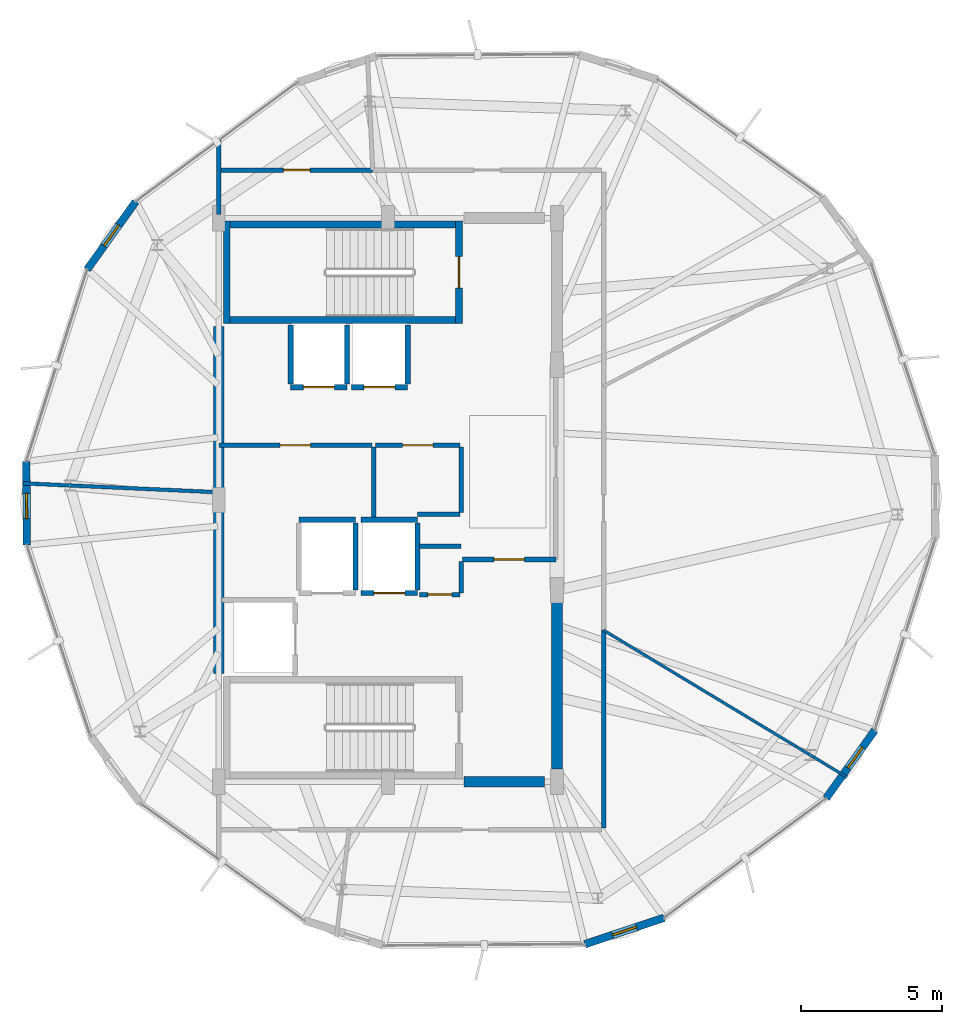
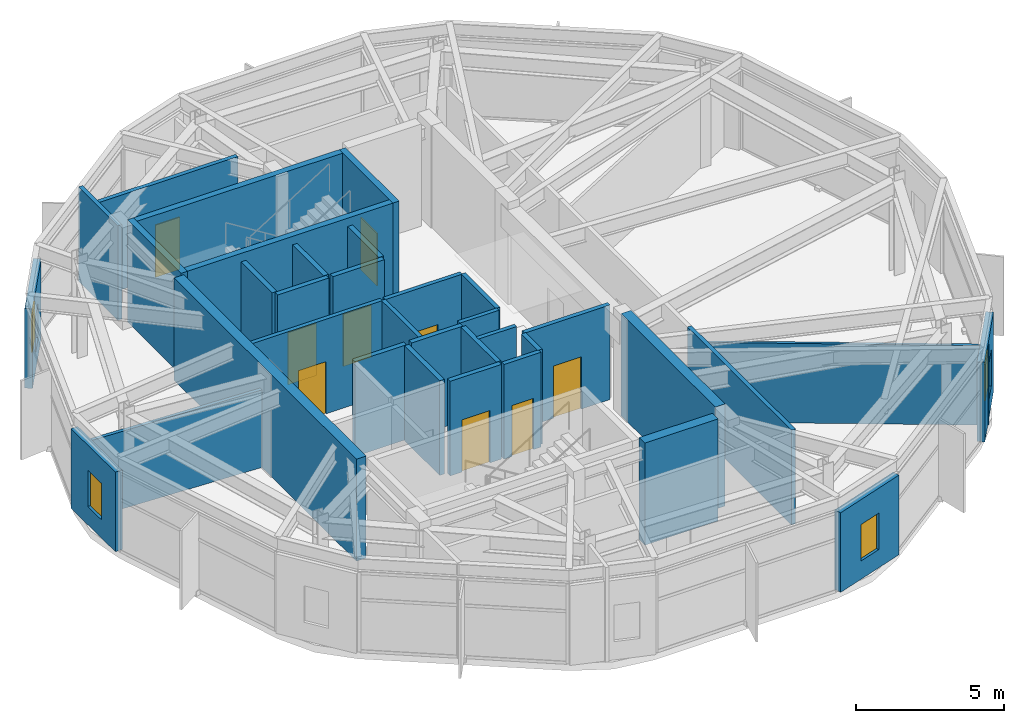
# One storey, part 18 of 22: 35 walls, 9 doors, 4 windows, 13 openings.
"""IFC4 building model written with IfcOpenShell, lengths in metres."""

from ifc_helpers import new_model, si_unit, direction, frame, frame_2d, origin, place, context, subcontext, project, spatial, rectangle, extrude, material, layer, layer_set, type_object, element, fill, save


model = new_model("IFC4")

# Units and contexts
model_context = context("Model", 3, precision=1e-05, world=origin(), true_north=direction((0.0, 1.0)))
body_context = subcontext(model_context, "Body", "Model", "MODEL_VIEW")
ifc_project = project(units=[si_unit("LENGTHUNIT", "METRE"), si_unit("AREAUNIT", "SQUARE_METRE"), si_unit("VOLUMEUNIT", "CUBIC_METRE"), si_unit("PLANEANGLEUNIT", "RADIAN"), si_unit("MASSUNIT", "GRAM", prefix="KILO")], contexts=[model_context])

# Site, building, storey
site_placement = place(None, origin())
site = spatial("IfcSite", under=ifc_project, at=site_placement, CompositionType="ELEMENT")
building_placement = place(site_placement, origin())
building = spatial("IfcBuilding", under=site, at=building_placement, Name="Soratama Intermodal Tower", CompositionType="ELEMENT")
storey_placement = place(building_placement, frame((0.0, 0.0, 301.449951171875)))
storey = spatial("IfcBuildingStorey", under=building, at=storey_placement, Name="L76", CompositionType="ELEMENT", Elevation=301.449951171875)

# Wall, opening, window
ifc_material_1 = material(Name="Concrete f'c 42 MPa", Category="concrete")
ifc_layer_1 = layer(ifc_material_1, 0.27001953125)
ifc_layer_set_1 = layer_set([ifc_layer_1], Name="Concrete f'c 42 MPa")
wall_type_1 = type_object("IfcWallType", Name="EW-CRN-270", PredefinedType="SOLIDWALL", material=ifc_layer_set_1)
wall_1_placement = place(storey_placement, frame((29.654296875, 35.58447265625, 0.0), z_axis=(0.0, 0.0, 1.0), x_axis=(-0.581915266528, -0.813249422122, 0.0)))
wall_1 = element("IfcWall", 1, at=wall_1_placement, inside=storey, type_object=wall_type_1, Name="L76 Corner Closure Wall 02", PredefinedType="SOLIDWALL", context=body_context, shape_type="SweptSolid", body=[
    extrude(rectangle(XDim=2.966552734375, YDim=0.27001953125, at=frame_2d((1.4833984375, 0.0))), origin(), (0.0, 0.0, 1.0), 3.274169921875),
])
opening_1_placement = place(wall_1_placement, frame((1.033203125, 0.0, 0.75)))
opening_1 = element("IfcOpeningElement", 2, at=opening_1_placement, cuts=wall_1, Name="Opening WN-6", PredefinedType="OPENING", context=body_context, shape_type="SweptSolid", body=[
    extrude(rectangle(XDim=0.89990234375, YDim=1.5, at=frame_2d((0.449951171875, 0.75))), frame((0.0, 0.14501953125, 0.0), z_axis=(0.0, -1.0, 0.0), x_axis=(1.0, 0.0, 0.0)), (0.0, 0.0, 1.0), 0.2900390625),
])
ifc_material_2 = material(Name="Double-glazed aluminium window", Category="aluminium")
window_type = type_object("IfcWindowType", Name="WN-FAC-900", PartitioningType="SINGLE_PANEL", PredefinedType="WINDOW", material=ifc_material_2)
window_1_placement = place(opening_1_placement, origin())
window_1 = element("IfcWindow", 3, at=window_1_placement, inside=storey, type_object=window_type, Name="L76 Corner Window 02", OverallHeight=1.5, OverallWidth=0.89990234375, PartitioningType="SINGLE_PANEL", PredefinedType="WINDOW", context=body_context, shape_type="SweptSolid", body=[
    extrude(rectangle(XDim=0.89990234375, YDim=1.5, at=frame_2d((0.449951171875, 0.75))), frame((0.0, 0.030029296875, 0.0), z_axis=(0.0, -1.0, 0.0), x_axis=(1.0, 0.0, 0.0)), (0.0, 0.0, 1.0), 0.06005859375),
])
fill(opening_1, window_1)

wall_2_placement = place(storey_placement, frame((25.771484375, 26.364990234375, 0.0), z_axis=(0.0, 0.0, 1.0), x_axis=(0.007324906367, -0.999973172514, 0.0)))
wall_2 = element("IfcWall", 4, at=wall_2_placement, inside=storey, type_object=wall_type_1, Name="L76 Corner Closure Wall 03", PredefinedType="SOLIDWALL", context=body_context, shape_type="SweptSolid", body=[
    extrude(rectangle(XDim=2.96630859375, YDim=0.27001953125, at=frame_2d((1.483154296875, 0.0))), origin(), (0.0, 0.0, 1.0), 3.274169921875),
])
opening_2_placement = place(wall_2_placement, frame((1.130615234375, 0.0, 0.75)))
opening_2 = element("IfcOpeningElement", 5, at=opening_2_placement, cuts=wall_2, Name="Opening WN-6", PredefinedType="OPENING", context=body_context, shape_type="SweptSolid", body=[
    extrude(rectangle(XDim=0.89990234375, YDim=1.5, at=frame_2d((0.449951171875, 0.75))), frame((0.0, 0.14501953125, 0.0), z_axis=(0.0, -1.0, 0.0), x_axis=(1.0, 0.0, 0.0)), (0.0, 0.0, 1.0), 0.2900390625),
])
window_2_placement = place(opening_2_placement, origin())
window_2 = element("IfcWindow", 6, at=window_2_placement, inside=storey, type_object=window_type, Name="L76 Corner Window 03", OverallHeight=1.5, OverallWidth=0.89990234375, PartitioningType="SINGLE_PANEL", PredefinedType="WINDOW", context=body_context, shape_type="SweptSolid", body=[
    extrude(rectangle(XDim=0.89990234375, YDim=1.5, at=frame_2d((0.449951171875, 0.75))), frame((0.0, 0.030029296875, 0.0), z_axis=(0.0, -1.0, 0.0), x_axis=(1.0, 0.0, 0.0)), (0.0, 0.0, 1.0), 0.06005859375),
])
fill(opening_2, window_2)

wall_3_placement = place(storey_placement, frame((45.585693359375, 9.239013671875, 0.0), z_axis=(0.0, 0.0, 1.0), x_axis=(0.948757335835, 0.31600556593, 0.0)))
wall_3 = element("IfcWall", 7, at=wall_3_placement, inside=storey, type_object=wall_type_1, Name="L76 Corner Closure Wall 06", PredefinedType="SOLIDWALL", context=body_context, shape_type="SweptSolid", body=[
    extrude(rectangle(XDim=2.966796875, YDim=0.27001953125, at=frame_2d((1.4833984375, 0.0))), origin(), (0.0, 0.0, 1.0), 3.274169921875),
])
opening_3_placement = place(wall_3_placement, frame((1.033203125, 0.0, 0.75)))
opening_3 = element("IfcOpeningElement", 8, at=opening_3_placement, cuts=wall_3, Name="Opening WN-6", PredefinedType="OPENING", context=body_context, shape_type="SweptSolid", body=[
    extrude(rectangle(XDim=0.89990234375, YDim=1.5, at=frame_2d((0.449951171875, 0.75))), frame((0.0, 0.14501953125, 0.0), z_axis=(0.0, -1.0, 0.0), x_axis=(1.0, 0.0, 0.0)), (0.0, 0.0, 1.0), 0.2900390625),
])
window_3_placement = place(opening_3_placement, origin())
window_3 = element("IfcWindow", 9, at=window_3_placement, inside=storey, type_object=window_type, Name="L76 Corner Window 06", OverallHeight=1.5, OverallWidth=0.89990234375, PartitioningType="SINGLE_PANEL", PredefinedType="WINDOW", context=body_context, shape_type="SweptSolid", body=[
    extrude(rectangle(XDim=0.89990234375, YDim=1.5, at=frame_2d((0.449951171875, 0.75))), frame((0.0, 0.030029296875, 0.0), z_axis=(0.0, -1.0, 0.0), x_axis=(1.0, 0.0, 0.0)), (0.0, 0.0, 1.0), 0.06005859375),
])
fill(opening_3, window_3)

wall_4_placement = place(storey_placement, frame((54.145751953125, 14.41552734375, 0.0), z_axis=(0.0, 0.0, 1.0), x_axis=(0.581860834108, 0.813288368127, 0.0)))
wall_4 = element("IfcWall", 10, at=wall_4_placement, inside=storey, type_object=wall_type_1, Name="L76 Corner Closure Wall 07", PredefinedType="SOLIDWALL", context=body_context, shape_type="SweptSolid", body=[
    extrude(rectangle(XDim=2.966552734375, YDim=0.27001953125, at=frame_2d((1.4833984375, 0.0))), origin(), (0.0, 0.0, 1.0), 3.274169921875),
])
opening_4_placement = place(wall_4_placement, frame((1.324951171875, 0.0, 0.75)))
opening_4 = element("IfcOpeningElement", 11, at=opening_4_placement, cuts=wall_4, Name="Opening WN-6", PredefinedType="OPENING", context=body_context, shape_type="SweptSolid", body=[
    extrude(rectangle(XDim=0.89990234375, YDim=1.5, at=frame_2d((0.449951171875, 0.75))), frame((0.0, 0.14501953125, 0.0), z_axis=(0.0, -1.0, 0.0), x_axis=(1.0, 0.0, 0.0)), (0.0, 0.0, 1.0), 0.2900390625),
])
window_4_placement = place(opening_4_placement, origin())
window_4 = element("IfcWindow", 12, at=window_4_placement, inside=storey, type_object=window_type, Name="L76 Corner Window 07", OverallHeight=1.5, OverallWidth=0.89990234375, PartitioningType="SINGLE_PANEL", PredefinedType="WINDOW", context=body_context, shape_type="SweptSolid", body=[
    extrude(rectangle(XDim=0.89990234375, YDim=1.5, at=frame_2d((0.449951171875, 0.75))), frame((0.0, 0.030029296875, 0.0), z_axis=(0.0, -1.0, 0.0), x_axis=(1.0, 0.0, 0.0)), (0.0, 0.0, 1.0), 0.06005859375),
])
fill(opening_4, window_4)

# Wall
ifc_material_3 = material(Name="Fire-rated gypsum stud partition", Category="concrete")
ifc_layer_2 = layer(ifc_material_3, 0.159912109375)
ifc_layer_set_2 = layer_set([ifc_layer_2], Name="Fire-rated gypsum stud partition")
wall_type_2 = type_object("IfcWallType", Name="IW-PART-R160", PredefinedType="PARTITIONING", material=ifc_layer_set_2)
wall_5_placement = place(storey_placement, frame((46.25, 20.37890625, 0.0), z_axis=(0.0, 0.0, 1.0), x_axis=(0.0, -1.0, 0.0)))
element("IfcWall", 13, at=wall_5_placement, inside=storey, type_object=wall_type_2, Name="L76 Partition W-L76-TP007", PredefinedType="PARTITIONING", context=body_context, shape_type="SweptSolid", body=[
    extrude(rectangle(XDim=7.0087890625, YDim=0.159912109375, at=frame_2d((3.50439453125, 0.0))), origin(), (0.0, 0.0, 1.0), 3.89501953125),
])

# Wall, opening, door
wall_6_placement = place(storey_placement, frame((38.0400390625, 26.93994140625, 0.0), z_axis=(0.0, 0.0, 1.0), x_axis=(-1.0, 0.0, 0.0)))
wall_6 = element("IfcWall", 14, at=wall_6_placement, inside=storey, type_object=wall_type_2, Name="L76 Partition W-L76-TP010", PredefinedType="PARTITIONING", context=body_context, shape_type="SweptSolid", body=[
    extrude(rectangle(XDim=5.43994140625, YDim=0.159912109375, at=frame_2d((2.719970703125, 0.0))), origin(), (0.0, 0.0, 1.0), 3.89501953125),
])
opening_5_placement = place(wall_6_placement, frame((2.179931640625, 0.0, 0.0)))
opening_5 = element("IfcOpeningElement", 15, at=opening_5_placement, cuts=wall_6, Name="Opening ID-1", PredefinedType="OPENING", context=body_context, shape_type="SweptSolid", body=[
    extrude(rectangle(XDim=1.080078125, YDim=2.14990234375, at=frame_2d((0.5400390625, 1.074951171875))), frame((0.0, 0.08984375, 0.0), z_axis=(0.0, -1.0, 0.0), x_axis=(1.0, 0.0, 0.0)), (0.0, 0.0, 1.0), 0.179931640625),
])
ifc_material_4 = material(Name="Solid hardwood acoustic door", Category="wood")
door_type_1 = type_object("IfcDoorType", Name="DR-LOB-FD60", OperationType="NOTDEFINED", PredefinedType="DOOR", material=ifc_material_4)
door_1_placement = place(opening_5_placement, origin())
door_1 = element("IfcDoor", 16, at=door_1_placement, inside=storey, type_object=door_type_1, Name="L76 Door D-L76-TP005", OperationType="SINGLE_SWING_RIGHT", OverallHeight=2.14990234375, OverallWidth=1.080078125, PredefinedType="DOOR", context=body_context, shape_type="SweptSolid", body=[
    extrude(rectangle(XDim=1.080078125, YDim=2.14990234375, at=frame_2d((0.5400390625, 1.074951171875))), frame((0.0, 0.02490234375, 0.0), z_axis=(0.0, -1.0, 0.0), x_axis=(1.0, 0.0, 0.0)), (0.0, 0.0, 1.0), 0.050048828125),
])
fill(opening_5, door_1)

wall_7_placement = place(storey_placement, frame((32.669921875, 36.699951171875, 0.0), z_axis=(0.0, 0.0, 1.0), x_axis=(1.0, 0.0, 0.0)))
wall_7 = element("IfcWall", 17, at=wall_7_placement, inside=storey, type_object=wall_type_2, Name="L76 Partition W-L76-TP011", PredefinedType="PARTITIONING", context=body_context, shape_type="SweptSolid", body=[
    extrude(rectangle(XDim=5.39013671875, YDim=0.159912109375, at=frame_2d((2.695068359375, 0.0))), origin(), (0.0, 0.0, 1.0), 3.89501953125),
])
opening_6_placement = place(wall_7_placement, frame((2.219970703125, 0.0, 0.0)))
opening_6 = element("IfcOpeningElement", 18, at=opening_6_placement, cuts=wall_7, Name="Opening ID-3", PredefinedType="OPENING", context=body_context, shape_type="SweptSolid", body=[
    extrude(rectangle(XDim=0.949951171875, YDim=2.14990234375, at=frame_2d((0.47509765625, 1.074951171875))), frame((0.0, 0.08984375, 0.0), z_axis=(0.0, -1.0, 0.0), x_axis=(1.0, 0.0, 0.0)), (0.0, 0.0, 1.0), 0.179931640625),
])
ifc_material_5 = material(Name="Solid hardwood acoustic door", Category="wood")
door_type_2 = type_object("IfcDoorType", Name="DR-ROOM-950", OperationType="NOTDEFINED", PredefinedType="DOOR", material=ifc_material_5)
door_2_placement = place(opening_6_placement, origin())
door_2 = element("IfcDoor", 19, at=door_2_placement, inside=storey, type_object=door_type_2, Name="L76 Door D-L76-TP006", OperationType="SINGLE_SWING_LEFT", OverallHeight=2.14990234375, OverallWidth=0.949951171875, PredefinedType="DOOR", context=body_context, shape_type="SweptSolid", body=[
    extrude(rectangle(XDim=0.949951171875, YDim=2.14990234375, at=frame_2d((0.47509765625, 1.074951171875))), frame((0.0, 0.02490234375, 0.0), z_axis=(0.0, -1.0, 0.0), x_axis=(1.0, 0.0, 0.0)), (0.0, 0.0, 1.0), 0.050048828125),
])
fill(opening_6, door_2)

wall_8_placement = place(storey_placement, frame((41.159912109375, 26.93994140625, 0.0), z_axis=(0.0, 0.0, 1.0), x_axis=(-1.0, 0.0, 0.0)))
wall_8 = element("IfcWall", 20, at=wall_8_placement, inside=storey, type_object=wall_type_2, Name="L76 Partition W-L76-TP016", PredefinedType="PARTITIONING", context=body_context, shape_type="SweptSolid", body=[
    extrude(rectangle(XDim=3.0, YDim=0.159912109375, at=frame_2d((1.5, 0.0))), origin(), (0.0, 0.0, 1.0), 3.89501953125),
])
opening_7_placement = place(wall_8_placement, frame((0.9599609375, 0.0, 0.0)))
opening_7 = element("IfcOpeningElement", 21, at=opening_7_placement, cuts=wall_8, Name="Opening ID-1", PredefinedType="OPENING", context=body_context, shape_type="SweptSolid", body=[
    extrude(rectangle(XDim=1.080078125, YDim=2.14990234375, at=frame_2d((0.5400390625, 1.074951171875))), frame((0.0, 0.08984375, 0.0), z_axis=(0.0, -1.0, 0.0), x_axis=(1.0, 0.0, 0.0)), (0.0, 0.0, 1.0), 0.179931640625),
])
door_3_placement = place(opening_7_placement, origin())
door_3 = element("IfcDoor", 22, at=door_3_placement, inside=storey, type_object=door_type_1, Name="L76 Door D-L76-TP009", OperationType="SINGLE_SWING_RIGHT", OverallHeight=2.14990234375, OverallWidth=1.080078125, PredefinedType="DOOR", context=body_context, shape_type="SweptSolid", body=[
    extrude(rectangle(XDim=1.080078125, YDim=2.14990234375, at=frame_2d((0.5400390625, 1.074951171875))), frame((0.0, 0.02490234375, 0.0), z_axis=(0.0, -1.0, 0.0), x_axis=(1.0, 0.0, 0.0)), (0.0, 0.0, 1.0), 0.050048828125),
])
fill(opening_7, door_3)

# Walls
wall_9_placement = place(storey_placement, frame((32.60009765625, 35.1201171875, 0.0), z_axis=(0.0, 0.0, 1.0), x_axis=(0.0, 1.0, 0.0)))
element("IfcWall", 23, at=wall_9_placement, inside=storey, type_object=wall_type_2, Name="L76 Partition W-L76-TP017", PredefinedType="PARTITIONING", context=body_context, shape_type="SweptSolid", body=[
    extrude(rectangle(XDim=2.637939453125, YDim=0.159912109375, at=frame_2d((1.31884765625, 0.0))), origin(), (0.0, 0.0, 1.0), 3.89501953125),
])
wall_10_placement = place(storey_placement, frame((38.10009765625, 26.8798828125, 0.0), z_axis=(0.0, 0.0, 1.0), x_axis=(0.0, -1.0, 0.0)))
element("IfcWall", 24, at=wall_10_placement, inside=storey, type_object=wall_type_2, Name="L76 Partition W-L76-TP019", PredefinedType="PARTITIONING", context=body_context, shape_type="SweptSolid", body=[
    extrude(rectangle(XDim=2.579833984375, YDim=0.159912109375, at=frame_2d((1.2900390625, 0.0))), origin(), (0.0, 0.0, 1.0), 3.89501953125),
])
wall_11_placement = place(storey_placement, frame((41.199951171875, 24.550048828125, 0.0), z_axis=(0.0, 0.0, 1.0), x_axis=(0.0, 1.0, 0.0)))
element("IfcWall", 25, at=wall_11_placement, inside=storey, type_object=wall_type_2, Name="L76 Partition W-L76-TP020", PredefinedType="PARTITIONING", context=body_context, shape_type="SweptSolid", body=[
    extrude(rectangle(XDim=2.329833984375, YDim=0.159912109375, at=frame_2d((1.1650390625, 0.0))), origin(), (0.0, 0.0, 1.0), 3.89501953125),
])
wall_12_placement = place(storey_placement, frame((39.64990234375, 24.485107421875, 0.0), z_axis=(0.0, 0.0, 1.0), x_axis=(1.0, 0.0, 0.0)))
element("IfcWall", 26, at=wall_12_placement, inside=storey, type_object=wall_type_2, Name="L76 Partition W-L76-TP021", PredefinedType="PARTITIONING", context=body_context, shape_type="SweptSolid", body=[
    extrude(rectangle(XDim=1.510009765625, YDim=0.159912109375, at=frame_2d((0.7548828125, 0.0))), origin(), (0.0, 0.0, 1.0), 3.89501953125),
])
wall_13_placement = place(storey_placement, frame((41.199951171875, 23.360107421875, 0.0), z_axis=(0.0, 0.0, 1.0), x_axis=(-1.0, 0.0, 0.0)))
element("IfcWall", 27, at=wall_13_placement, inside=storey, type_object=wall_type_2, Name="L76 Partition W-L76-TP024", PredefinedType="PARTITIONING", context=body_context, shape_type="SweptSolid", body=[
    extrude(rectangle(XDim=1.47998046875, YDim=0.159912109375, at=frame_2d((0.739990234375, 0.0))), origin(), (0.0, 0.0, 1.0), 3.89501953125),
])

# Wall, opening, door
ifc_material_6 = material(Name="Fire-rated gypsum stud partition", Category="concrete")
ifc_layer_3 = layer(ifc_material_6, 0.169921875)
ifc_layer_set_3 = layer_set([ifc_layer_3], Name="Fire-rated gypsum stud partition")
wall_type_3 = type_object("IfcWallType", Name="IW-PART-R170", PredefinedType="PARTITIONING", material=ifc_layer_set_3)
wall_14_placement = place(storey_placement, frame((41.239990234375, 22.889892578125, 0.0), z_axis=(0.0, 0.0, 1.0), x_axis=(1.0, 0.0, 0.0)))
wall_14 = element("IfcWall", 28, at=wall_14_placement, inside=storey, type_object=wall_type_3, Name="L76 Partition W-L76-TP015", PredefinedType="PARTITIONING", context=body_context, shape_type="SweptSolid", body=[
    extrude(rectangle(XDim=3.320068359375, YDim=0.169921875, at=frame_2d((1.66015625, 0.0))), origin(), (0.0, 0.0, 1.0), 3.89501953125),
])
opening_8_placement = place(wall_14_placement, frame((1.1201171875, 0.0, 0.0)))
opening_8 = element("IfcOpeningElement", 29, at=opening_8_placement, cuts=wall_14, Name="Opening ID-0", PredefinedType="OPENING", context=body_context, shape_type="SweptSolid", body=[
    extrude(rectangle(XDim=1.080078125, YDim=2.14990234375, at=frame_2d((0.5400390625, 1.074951171875))), frame((0.0, 0.094970703125, 0.0), z_axis=(0.0, -1.0, 0.0), x_axis=(1.0, 0.0, 0.0)), (0.0, 0.0, 1.0), 0.18994140625),
])
ifc_material_7 = material(Name="Solid hardwood acoustic door", Category="wood")
door_type_3 = type_object("IfcDoorType", Name="DR-LOB-FD90", OperationType="NOTDEFINED", PredefinedType="DOOR", material=ifc_material_7)
door_4_placement = place(opening_8_placement, origin())
door_4 = element("IfcDoor", 30, at=door_4_placement, inside=storey, type_object=door_type_3, Name="L76 Door D-L76-TP008", OperationType="SINGLE_SWING_LEFT", OverallHeight=2.14990234375, OverallWidth=1.080078125, PredefinedType="DOOR", context=body_context, shape_type="SweptSolid", body=[
    extrude(rectangle(XDim=1.080078125, YDim=2.14990234375, at=frame_2d((0.5400390625, 1.074951171875))), frame((0.0, 0.02490234375, 0.0), z_axis=(0.0, -1.0, 0.0), x_axis=(1.0, 0.0, 0.0)), (0.0, 0.0, 1.0), 0.050048828125),
])
fill(opening_8, door_4)

wall_15_placement = place(storey_placement, frame((39.719970703125, 21.639892578125, 0.0), z_axis=(0.0, 0.0, 1.0), x_axis=(1.0, 0.0, 0.0)))
wall_15 = element("IfcWall", 31, at=wall_15_placement, inside=storey, type_object=wall_type_3, Name="L76 Partition W-L76-TP022", PredefinedType="PARTITIONING", context=body_context, shape_type="SweptSolid", body=[
    extrude(rectangle(XDim=1.43994140625, YDim=0.169921875, at=frame_2d((0.719970703125, 0.0))), origin(), (0.0, 0.0, 1.0), 3.89501953125),
])
opening_9_placement = place(wall_15_placement, frame((0.294921875, 0.0, 0.0)))
opening_9 = element("IfcOpeningElement", 32, at=opening_9_placement, cuts=wall_15, Name="Opening ID-4", PredefinedType="OPENING", context=body_context, shape_type="SweptSolid", body=[
    extrude(rectangle(XDim=0.85009765625, YDim=2.10009765625, at=frame_2d((0.425048828125, 1.050048828125))), frame((0.0, 0.094970703125, 0.0), z_axis=(0.0, -1.0, 0.0), x_axis=(1.0, 0.0, 0.0)), (0.0, 0.0, 1.0), 0.18994140625),
])
ifc_material_8 = material(Name="Solid hardwood acoustic door", Category="wood")
door_type_4 = type_object("IfcDoorType", Name="DR-BATH-850", OperationType="NOTDEFINED", PredefinedType="DOOR", material=ifc_material_8)
door_5_placement = place(opening_9_placement, origin())
door_5 = element("IfcDoor", 33, at=door_5_placement, inside=storey, type_object=door_type_4, Name="L76 Door D-L76-TP010", OperationType="SINGLE_SWING_LEFT", OverallHeight=2.10009765625, OverallWidth=0.85009765625, PredefinedType="DOOR", context=body_context, shape_type="SweptSolid", body=[
    extrude(rectangle(XDim=0.85009765625, YDim=2.10009765625, at=frame_2d((0.425048828125, 1.050048828125))), frame((0.0, 0.02490234375, 0.0), z_axis=(0.0, -1.0, 0.0), x_axis=(1.0, 0.0, 0.0)), (0.0, 0.0, 1.0), 0.050048828125),
])
fill(opening_9, door_5)

# Walls
wall_16_placement = place(storey_placement, frame((41.199951171875, 21.699951171875, 0.0), z_axis=(0.0, 0.0, 1.0), x_axis=(0.0, 1.0, 0.0)))
element("IfcWall", 34, at=wall_16_placement, inside=storey, type_object=wall_type_3, Name="L76 Partition W-L76-TP023", PredefinedType="PARTITIONING", context=body_context, shape_type="SweptSolid", body=[
    extrude(rectangle(XDim=1.1201171875, YDim=0.169921875, at=frame_2d((0.56005859375, 0.0))), origin(), (0.0, 0.0, 1.0), 3.89501953125),
])
ifc_material_9 = material(Name="Fire-rated gypsum stud partition", Category="concrete")
ifc_layer_4 = layer(ifc_material_9, 0.10009765625)
ifc_layer_set_4 = layer_set([ifc_layer_4], Name="Fire-rated gypsum stud partition")
wall_type_4 = type_object("IfcWallType", Name="IW-PART-S100", PredefinedType="PARTITIONING", material=ifc_layer_set_4)
wall_17_placement = place(storey_placement, frame((46.25, 20.37890625, 0.0), z_axis=(0.0, 0.0, 1.0), x_axis=(0.855983606602, -0.517002964429, 0.0)))
element("IfcWall", 35, at=wall_17_placement, inside=storey, type_object=wall_type_4, Name="L76 Partition W-L76-TP002", PredefinedType="PARTITIONING", context=body_context, shape_type="SweptSolid", body=[
    extrude(rectangle(XDim=10.086669921875, YDim=0.10009765625, at=frame_2d((5.04345703125, 0.0))), origin(), (0.0, 0.0, 1.0), 3.27294921875),
])
ifc_material_10 = material(Name="Fire-rated gypsum stud partition", Category="concrete")
ifc_layer_5 = layer(ifc_material_10, 0.1298828125)
ifc_layer_set_5 = layer_set([ifc_layer_5], Name="Fire-rated gypsum stud partition")
wall_type_5 = type_object("IfcWallType", Name="IW-PART-S130", PredefinedType="PARTITIONING", material=ifc_layer_set_5)
wall_18_placement = place(storey_placement, frame((32.527099609375, 25.27587890625, 0.0), z_axis=(0.0, 0.0, 1.0), x_axis=(-0.99896311896, 0.045526771868, 0.0)))
element("IfcWall", 36, at=wall_18_placement, inside=storey, type_object=wall_type_5, Name="L76 Partition W-L76-TP009", PredefinedType="PARTITIONING", context=body_context, shape_type="SweptSolid", body=[
    extrude(rectangle(XDim=6.880126953125, YDim=0.1298828125, at=frame_2d((3.43994140625, 0.0))), origin(), (0.0, 0.0, 1.0), 3.18994140625),
])
ifc_material_11 = material(Name="Concrete f'c 42 MPa", Category="concrete")
ifc_layer_6 = layer(ifc_material_11, 0.18505859375)
ifc_layer_set_6 = layer_set([ifc_layer_6], Name="Concrete f'c 42 MPa")
wall_type_6 = type_object("IfcWallType", Name="IW-SHAFT-185", PredefinedType="SOLIDWALL", material=ifc_layer_set_6)
wall_19_placement = place(storey_placement, frame((35.449951171875, 24.300048828125, 0.0), z_axis=(0.0, 0.0, 1.0), x_axis=(1.0, 0.0, 0.0)))
element("IfcWall", 37, at=wall_19_placement, inside=storey, type_object=wall_type_6, Name="L76 FFL-1 Hoistway Wall N", PredefinedType="SOLIDWALL", context=body_context, shape_type="SweptSolid", body=[
    extrude(rectangle(XDim=2.0, YDim=0.18505859375, at=frame_2d((1.0, 0.0))), origin(), (0.0, 0.0, 1.0), 3.89501953125),
])
wall_20_placement = place(storey_placement, frame((37.449951171875, 21.81005859375, 0.0), z_axis=(0.0, 0.0, 1.0), x_axis=(0.0, 1.0, 0.0)))
element("IfcWall", 38, at=wall_20_placement, inside=storey, type_object=wall_type_6, Name="L76 FFL-1 Hoistway Wall E", PredefinedType="SOLIDWALL", context=body_context, shape_type="SweptSolid", body=[
    extrude(rectangle(XDim=2.3798828125, YDim=0.18505859375, at=frame_2d((1.18994140625, 0.0))), origin(), (0.0, 0.0, 1.0), 3.89501953125),
])

# Wall, opening, door
wall_21_placement = place(storey_placement, frame((37.64990234375, 21.699951171875, 0.0), z_axis=(0.0, 0.0, 1.0), x_axis=(1.0, 0.0, 0.0)))
wall_21 = element("IfcWall", 39, at=wall_21_placement, inside=storey, type_object=wall_type_6, Name="L76 FFL-2 Hoistway Wall S", PredefinedType="SOLIDWALL", context=body_context, shape_type="SweptSolid", body=[
    extrude(rectangle(XDim=2.0, YDim=0.18505859375, at=frame_2d((1.0, 0.0))), origin(), (0.0, 0.0, 1.0), 3.89501953125),
])
opening_10_placement = place(wall_21_placement, frame((0.449951171875, 0.0, 0.0)))
opening_10 = element("IfcOpeningElement", 40, at=opening_10_placement, cuts=wall_21, Name="Opening LD-1", PredefinedType="OPENING", context=body_context, shape_type="SweptSolid", body=[
    extrude(rectangle(XDim=1.10009765625, YDim=2.14990234375, at=frame_2d((0.550048828125, 1.074951171875))), frame((0.0, 0.1025390625, 0.0), z_axis=(0.0, -1.0, 0.0), x_axis=(1.0, 0.0, 0.0)), (0.0, 0.0, 1.0), 0.205078125),
])
ifc_material_12 = material(Name="Steel fire door", Category="steel")
door_type_5 = type_object("IfcDoorType", Name="DR-LIFT-SLIDE", OperationType="NOTDEFINED", PredefinedType="DOOR", material=ifc_material_12)
door_6_placement = place(opening_10_placement, origin())
door_6 = element("IfcDoor", 41, at=door_6_placement, inside=storey, type_object=door_type_5, Name="L76 FFL-2 Sliding Landing Door", OperationType="SLIDING_TO_LEFT", OverallHeight=2.14990234375, OverallWidth=1.10009765625, PredefinedType="DOOR", context=body_context, shape_type="SweptSolid", body=[
    extrude(rectangle(XDim=1.10009765625, YDim=2.14990234375, at=frame_2d((0.550048828125, 1.074951171875))), frame((0.0, 0.02490234375, 0.0), z_axis=(0.0, -1.0, 0.0), x_axis=(1.0, 0.0, 0.0)), (0.0, 0.0, 1.0), 0.050048828125),
])
fill(opening_10, door_6)

# Walls
wall_22_placement = place(storey_placement, frame((37.64990234375, 24.300048828125, 0.0), z_axis=(0.0, 0.0, 1.0), x_axis=(1.0, 0.0, 0.0)))
element("IfcWall", 42, at=wall_22_placement, inside=storey, type_object=wall_type_6, Name="L76 FFL-2 Hoistway Wall N", PredefinedType="SOLIDWALL", context=body_context, shape_type="SweptSolid", body=[
    extrude(rectangle(XDim=2.0, YDim=0.18505859375, at=frame_2d((1.0, 0.0))), origin(), (0.0, 0.0, 1.0), 3.89501953125),
])
wall_23_placement = place(storey_placement, frame((39.64990234375, 21.81005859375, 0.0), z_axis=(0.0, 0.0, 1.0), x_axis=(0.0, 1.0, 0.0)))
element("IfcWall", 43, at=wall_23_placement, inside=storey, type_object=wall_type_6, Name="L76 FFL-2 Hoistway Wall E", PredefinedType="SOLIDWALL", context=body_context, shape_type="SweptSolid", body=[
    extrude(rectangle(XDim=2.3798828125, YDim=0.18505859375, at=frame_2d((1.18994140625, 0.0))), origin(), (0.0, 0.0, 1.0), 3.89501953125),
])

# Wall, opening, door
wall_24_placement = place(storey_placement, frame((35.14990234375, 29.0, 0.0), z_axis=(0.0, 0.0, 1.0), x_axis=(1.0, 0.0, 0.0)))
wall_24 = element("IfcWall", 44, at=wall_24_placement, inside=storey, type_object=wall_type_6, Name="L76 PL-H1 Hoistway Wall S", PredefinedType="SOLIDWALL", context=body_context, shape_type="SweptSolid", body=[
    extrude(rectangle(XDim=2.0, YDim=0.18505859375, at=frame_2d((1.0, 0.0))), origin(), (0.0, 0.0, 1.0), 3.89501953125),
])
opening_11_placement = place(wall_24_placement, frame((0.449951171875, 0.0, 0.0)))
opening_11 = element("IfcOpeningElement", 45, at=opening_11_placement, cuts=wall_24, Name="Opening LD-1", PredefinedType="OPENING", context=body_context, shape_type="SweptSolid", body=[
    extrude(rectangle(XDim=1.10009765625, YDim=2.14990234375, at=frame_2d((0.550048828125, 1.074951171875))), frame((0.0, 0.1025390625, 0.0), z_axis=(0.0, -1.0, 0.0), x_axis=(1.0, 0.0, 0.0)), (0.0, 0.0, 1.0), 0.205078125),
])
door_7_placement = place(opening_11_placement, origin())
door_7 = element("IfcDoor", 46, at=door_7_placement, inside=storey, type_object=door_type_5, Name="L76 PL-H1 Sliding Landing Door", OperationType="SLIDING_TO_LEFT", OverallHeight=2.14990234375, OverallWidth=1.10009765625, PredefinedType="DOOR", context=body_context, shape_type="SweptSolid", body=[
    extrude(rectangle(XDim=1.10009765625, YDim=2.14990234375, at=frame_2d((0.550048828125, 1.074951171875))), frame((0.0, 0.02490234375, 0.0), z_axis=(0.0, -1.0, 0.0), x_axis=(1.0, 0.0, 0.0)), (0.0, 0.0, 1.0), 0.050048828125),
])
fill(opening_11, door_7)

# Walls
for number, where, z_axis, x_axis, name in (
    (47, (35.14990234375, 29.110107421875, 0.0), (0.0, 0.0, 1.0), (0.0, 1.0, 0.0), "L76 PL-H1 Hoistway Wall W"),
    (48, (37.14990234375, 29.110107421875, 0.0), (0.0, 0.0, 1.0), (0.0, 1.0, 0.0), "L76 PL-H1 Hoistway Wall E"),
):
    element("IfcWall", number, at=place(storey_placement, frame(where, z_axis=z_axis, x_axis=x_axis)), inside=storey, type_object=wall_type_6, Name=name, PredefinedType="SOLIDWALL", context=body_context, shape_type="SweptSolid", body=[
        extrude(rectangle(XDim=2.099853515625, YDim=0.18505859375, at=frame_2d((1.0498046875, 0.0))), origin(), (0.0, 0.0, 1.0), 3.89501953125),
    ])

# Wall, opening, door
wall_25_placement = place(storey_placement, frame((37.300048828125, 29.0, 0.0), z_axis=(0.0, 0.0, 1.0), x_axis=(1.0, 0.0, 0.0)))
wall_25 = element("IfcWall", 49, at=wall_25_placement, inside=storey, type_object=wall_type_6, Name="L76 PL-H2 Hoistway Wall S", PredefinedType="SOLIDWALL", context=body_context, shape_type="SweptSolid", body=[
    extrude(rectangle(XDim=2.0, YDim=0.18505859375, at=frame_2d((1.0, 0.0))), origin(), (0.0, 0.0, 1.0), 3.89501953125),
])
opening_12_placement = place(wall_25_placement, frame((0.449951171875, 0.0, 0.0)))
opening_12 = element("IfcOpeningElement", 50, at=opening_12_placement, cuts=wall_25, Name="Opening LD-1", PredefinedType="OPENING", context=body_context, shape_type="SweptSolid", body=[
    extrude(rectangle(XDim=1.10009765625, YDim=2.14990234375, at=frame_2d((0.550048828125, 1.074951171875))), frame((0.0, 0.1025390625, 0.0), z_axis=(0.0, -1.0, 0.0), x_axis=(1.0, 0.0, 0.0)), (0.0, 0.0, 1.0), 0.205078125),
])
door_8_placement = place(opening_12_placement, origin())
door_8 = element("IfcDoor", 51, at=door_8_placement, inside=storey, type_object=door_type_5, Name="L76 PL-H2 Sliding Landing Door", OperationType="SLIDING_TO_LEFT", OverallHeight=2.14990234375, OverallWidth=1.10009765625, PredefinedType="DOOR", context=body_context, shape_type="SweptSolid", body=[
    extrude(rectangle(XDim=1.10009765625, YDim=2.14990234375, at=frame_2d((0.550048828125, 1.074951171875))), frame((0.0, 0.02490234375, 0.0), z_axis=(0.0, -1.0, 0.0), x_axis=(1.0, 0.0, 0.0)), (0.0, 0.0, 1.0), 0.050048828125),
])
fill(opening_12, door_8)

# Walls
wall_26_placement = place(storey_placement, frame((39.300048828125, 29.110107421875, 0.0), z_axis=(0.0, 0.0, 1.0), x_axis=(0.0, 1.0, 0.0)))
element("IfcWall", 52, at=wall_26_placement, inside=storey, type_object=wall_type_6, Name="L76 PL-H2 Hoistway Wall E", PredefinedType="SOLIDWALL", context=body_context, shape_type="SweptSolid", body=[
    extrude(rectangle(XDim=2.099853515625, YDim=0.18505859375, at=frame_2d((1.0498046875, 0.0))), origin(), (0.0, 0.0, 1.0), 3.89501953125),
])
ifc_material_13 = material(Name="Concrete f'c 56 MPa", Category="concrete")
ifc_layer_7 = layer(ifc_material_13, 0.3798828125)
ifc_layer_set_7 = layer_set([ifc_layer_7], Name="Concrete f'c 56 MPa")
wall_type_7 = type_object("IfcWallType", Name="SW-CORE-380", PredefinedType="SHEAR", material=ifc_layer_set_7)
wall_27_placement = place(storey_placement, frame((32.60009765625, 18.85009765625, 0.0), z_axis=(0.0, 0.0, 1.0), x_axis=(0.0, 1.0, 0.0)))
element("IfcWall", 53, at=wall_27_placement, inside=storey, type_object=wall_type_7, Name="L76 Core Shear Wall CW-WMID", PredefinedType="SHEAR", context=body_context, shape_type="SweptSolid", body=[
    extrude(rectangle(XDim=12.2998046875, YDim=0.3798828125, at=frame_2d((6.14990234375, 0.0))), origin(), (0.0, 0.0, 1.0), 4.199951171875),
])
wall_28_placement = place(storey_placement, frame((41.300048828125, 15.0, 0.0), z_axis=(0.0, 0.0, 1.0), x_axis=(1.0, 0.0, 0.0)))
element("IfcWall", 54, at=wall_28_placement, inside=storey, type_object=wall_type_7, Name="L76 Core Shear Wall CW-SE", PredefinedType="SHEAR", context=body_context, shape_type="SweptSolid", body=[
    extrude(rectangle(XDim=2.849853515625, YDim=0.3798828125, at=frame_2d((1.4248046875, 0.0))), origin(), (0.0, 0.0, 1.0), 4.199951171875),
])
wall_29_placement = place(storey_placement, frame((44.60009765625, 15.449951171875, 0.0), z_axis=(0.0, 0.0, 1.0), x_axis=(0.0, 1.0, 0.0)))
element("IfcWall", 55, at=wall_29_placement, inside=storey, type_object=wall_type_7, Name="L76 Core Shear Wall CW-ES", PredefinedType="SHEAR", context=body_context, shape_type="SweptSolid", body=[
    extrude(rectangle(XDim=6.35009765625, YDim=0.3798828125, at=frame_2d((3.175048828125, 0.0))), origin(), (0.0, 0.0, 1.0), 4.199951171875),
])
ifc_material_14 = material(Name="Concrete f'c 56 MPa", Category="concrete")
ifc_layer_8 = layer(ifc_material_14, 0.239990234375)
ifc_layer_set_8 = layer_set([ifc_layer_8], Name="Concrete f'c 56 MPa")
wall_type_8 = type_object("IfcWallType", Name="SW-STAIR-240", PredefinedType="SHEAR", material=ifc_layer_set_8)
wall_30_placement = place(storey_placement, frame((32.8798828125, 31.260009765625, 0.0), z_axis=(0.0, 0.0, 1.0), x_axis=(0.0, 1.0, 0.0)))
element("IfcWall", 56, at=wall_30_placement, inside=storey, type_object=wall_type_8, Name="L76 ST-2 Shaft Shear Wall W", PredefinedType="SHEAR", context=body_context, shape_type="SweptSolid", body=[
    extrude(rectangle(XDim=3.6298828125, YDim=0.239990234375, at=frame_2d((1.81494140625, 0.0))), origin(), (0.0, 0.0, 1.0), 4.199951171875),
])

# Wall, opening, door
wall_31_placement = place(storey_placement, frame((41.1201171875, 31.260009765625, 0.0), z_axis=(0.0, 0.0, 1.0), x_axis=(0.0, 1.0, 0.0)))
wall_31 = element("IfcWall", 57, at=wall_31_placement, inside=storey, type_object=wall_type_8, Name="L76 ST-2 Shaft Shear Wall E", PredefinedType="SHEAR", context=body_context, shape_type="SweptSolid", body=[
    extrude(rectangle(XDim=3.6298828125, YDim=0.239990234375, at=frame_2d((1.81494140625, 0.0))), origin(), (0.0, 0.0, 1.0), 4.199951171875),
])
opening_13_placement = place(wall_31_placement, frame((1.2548828125, 0.0, 0.0)))
opening_13 = element("IfcOpeningElement", 58, at=opening_13_placement, cuts=wall_31, Name="Opening SD-1", PredefinedType="OPENING", context=body_context, shape_type="SweptSolid", body=[
    extrude(rectangle(XDim=1.1201171875, YDim=2.14990234375, at=frame_2d((0.56005859375, 1.074951171875))), frame((0.0, 0.1298828125, 0.0), z_axis=(0.0, -1.0, 0.0), x_axis=(1.0, 0.0, 0.0)), (0.0, 0.0, 1.0), 0.260009765625),
])
ifc_material_15 = material(Name="Steel fire door", Category="steel")
door_type_6 = type_object("IfcDoorType", Name="DR-STAIR-FD90", OperationType="NOTDEFINED", PredefinedType="DOOR", material=ifc_material_15)
door_9_placement = place(opening_13_placement, origin())
door_9 = element("IfcDoor", 59, at=door_9_placement, inside=storey, type_object=door_type_6, Name="L76 ST-2 Exit Stair Door", OperationType="SINGLE_SWING_RIGHT", OverallHeight=2.14990234375, OverallWidth=1.1201171875, PredefinedType="DOOR", context=body_context, shape_type="SweptSolid", body=[
    extrude(rectangle(XDim=1.1201171875, YDim=2.14990234375, at=frame_2d((0.56005859375, 1.074951171875))), frame((0.0, 0.02490234375, 0.0), z_axis=(0.0, -1.0, 0.0), x_axis=(1.0, 0.0, 0.0)), (0.0, 0.0, 1.0), 0.050048828125),
])
fill(opening_13, door_9)

# Walls
for number, where, z_axis, x_axis, name in (
    (60, (33.0, 31.3798828125, 0.0), (0.0, 0.0, 1.0), (1.0, 0.0, 0.0), "L76 ST-2 Shaft Shear Wall S"),
    (61, (33.0, 34.77001953125, 0.0), (0.0, 0.0, 1.0), (1.0, 0.0, 0.0), "L76 ST-2 Shaft Shear Wall N"),
):
    element("IfcWall", number, at=place(storey_placement, frame(where, z_axis=z_axis, x_axis=x_axis)), inside=storey, type_object=wall_type_8, Name=name, PredefinedType="SHEAR", context=body_context, shape_type="SweptSolid", body=[
        extrude(rectangle(XDim=8.0, YDim=0.239990234375, at=frame_2d((4.0, 0.0))), origin(), (0.0, 0.0, 1.0), 4.199951171875),
    ])

save(model, "model.ifc")
